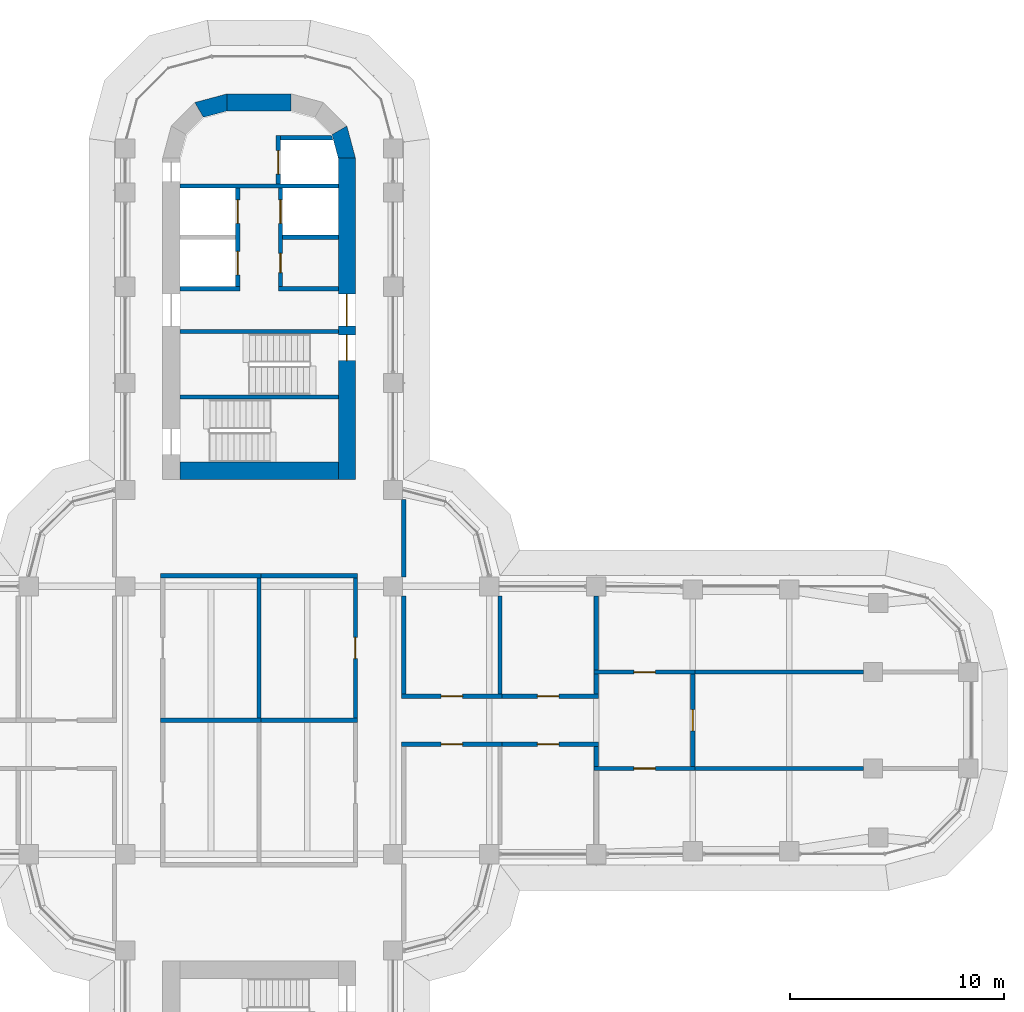
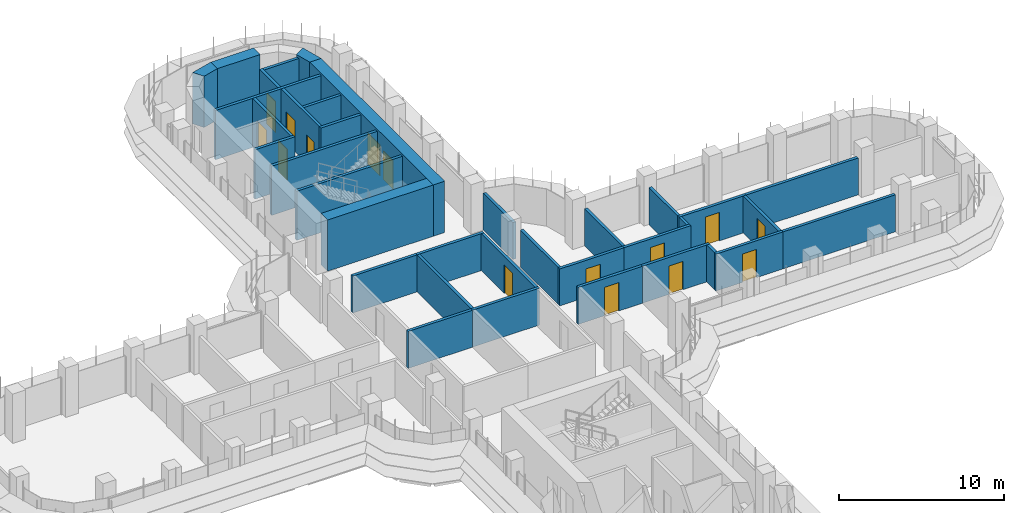
# One storey, part 17 of 22: 36 walls, 15 doors, 15 openings.
"""IFC4 building model written with IfcOpenShell, lengths in metres."""

from ifc_helpers import new_model, si_unit, direction, frame, frame_2d, origin, place, context, subcontext, project, spatial, polyline, rectangle, outline, extrude, material, layer, layer_set, type_object, element, fill, save


model = new_model("IFC4")

# Units and contexts
model_context = context("Model", 3, precision=1e-05, world=origin(), true_north=direction((0.0, 1.0)))
body_context = subcontext(model_context, "Body", "Model", "MODEL_VIEW")
ifc_project = project(units=[si_unit("LENGTHUNIT", "METRE"), si_unit("AREAUNIT", "SQUARE_METRE"), si_unit("VOLUMEUNIT", "CUBIC_METRE"), si_unit("PLANEANGLEUNIT", "RADIAN"), si_unit("MASSUNIT", "GRAM", prefix="KILO")], contexts=[model_context])

# Site, building, storey
site_placement = place(None, origin())
site = spatial("IfcSite", under=ifc_project, at=site_placement, CompositionType="ELEMENT")
building_placement = place(site_placement, origin())
building = spatial("IfcBuilding", under=site, at=building_placement, Name="Zarbagh Exchange Tower", CompositionType="ELEMENT")
storey_placement = place(building_placement, frame((0.0, 0.0, 113.199951171875)))
storey = spatial("IfcBuildingStorey", under=building, at=storey_placement, Name="L26", CompositionType="ELEMENT", Elevation=113.199951171875)

# Wall, opening, door
ifc_material_1 = material(Name="Fire-rated plasterboard partition")
ifc_layer_1 = layer(ifc_material_1, 0.199951171875)
ifc_layer_set_1 = layer_set([ifc_layer_1], Name="RATED PARTITION 200")
wall_type_1 = type_object("IfcWallType", Name="RATED PARTITION 200", PredefinedType="PARTITIONING", material=ifc_layer_set_1)
wall_1_placement = place(storey_placement, frame((4.5, 0.10009765625, 0.0), z_axis=(0.0, 0.0, 1.0), x_axis=(0.0, 1.0, 0.0)))
wall_1 = element("IfcWall", 1, at=wall_1_placement, inside=storey, type_object=wall_type_1, Name="Partition W-907", PredefinedType="PARTITIONING", context=body_context, shape_type="SweptSolid", body=[
    extrude(rectangle(XDim=6.5498046875, YDim=0.199951171875, at=frame_2d((3.27490234375, 0.0))), origin(), (0.0, 0.0, 1.0), 2.738037109375),
])
opening_1_placement = place(wall_1_placement, frame((2.77490234375, 0.0, 0.0)))
opening_1 = element("IfcOpeningElement", 2, at=opening_1_placement, cuts=wall_1, Name="Opening D-901", PredefinedType="OPENING", context=body_context, shape_type="SweptSolid", body=[
    extrude(rectangle(XDim=1.0, YDim=2.10009765625, at=frame_2d((0.5, 1.050048828125))), frame((0.0, 0.10986328125, 0.0), z_axis=(0.0, -1.0, 0.0), x_axis=(1.0, 0.0, 0.0)), (0.0, 0.0, 1.0), 0.219970703125),
])
ifc_material_2 = material(Name="Steel door set", Category="steel")
door_type_1 = type_object("IfcDoorType", Name="FIRE DOOR 1000 X 2100 FD30S", OperationType="NOTDEFINED", PredefinedType="DOOR", material=ifc_material_2)
door_1_placement = place(opening_1_placement, origin())
door_1 = element("IfcDoor", 3, at=door_1_placement, inside=storey, type_object=door_type_1, Name="Door D-901", OperationType="SINGLE_SWING_LEFT", OverallHeight=2.10009765625, OverallWidth=1.0, PredefinedType="DOOR", context=body_context, shape_type="SweptSolid", body=[
    extrude(rectangle(XDim=1.0, YDim=2.10009765625, at=frame_2d((0.5, 1.050048828125))), frame((0.0, 0.02490234375, 0.0), z_axis=(0.0, -1.0, 0.0), x_axis=(1.0, 0.0, 0.0)), (0.0, 0.0, 1.0), 0.050048828125),
])
fill(opening_1, door_1)

# Walls
wall_2_placement = place(storey_placement, frame((6.75, 1.22509765625, 0.0), z_axis=(0.0, 0.0, 1.0), x_axis=(0.0, 1.0, 0.0)))
element("IfcWall", 4, at=wall_2_placement, inside=storey, type_object=wall_type_1, Name="Partition W-909", PredefinedType="PARTITIONING", context=body_context, shape_type="SweptSolid", body=[
    extrude(rectangle(XDim=4.574951171875, YDim=0.199951171875, at=frame_2d((2.28759765625, 0.0))), origin(), (0.0, 0.0, 1.0), 2.738037109375),
])
wall_3_placement = place(storey_placement, frame((6.75, 6.699951171875, 0.0), z_axis=(0.0, 0.0, 1.0), x_axis=(0.0, 1.0, 0.0)))
element("IfcWall", 5, at=wall_3_placement, inside=storey, type_object=wall_type_1, Name="Partition W-910", PredefinedType="PARTITIONING", context=body_context, shape_type="SweptSolid", body=[
    extrude(rectangle(XDim=3.60009765625, YDim=0.199951171875, at=frame_2d((1.800048828125, 0.0))), origin(), (0.0, 0.0, 1.0), 2.738037109375),
])
for number, where, z_axis, x_axis, name in (
    (6, (-4.60009765625, 6.75, 0.0), (0.0, 0.0, 1.0), (1.0, 0.0, 0.0), "Partition W-913"),
    (7, (-0.10009765625, 6.75, 0.0), (0.0, 0.0, 1.0), (1.0, 0.0, 0.0), "Partition W-914"),
):
    element("IfcWall", number, at=place(storey_placement, frame(where, z_axis=z_axis, x_axis=x_axis)), inside=storey, type_object=wall_type_1, Name=name, PredefinedType="PARTITIONING", context=body_context, shape_type="SweptSolid", body=[
        extrude(rectangle(XDim=4.7001953125, YDim=0.199951171875, at=frame_2d((2.35009765625, 0.0))), origin(), (0.0, 0.0, 1.0), 2.738037109375),
    ])
wall_4_placement = place(storey_placement, frame((0.0, 0.10009765625, 0.0), z_axis=(0.0, 0.0, 1.0), x_axis=(0.0, 1.0, 0.0)))
element("IfcWall", 8, at=wall_4_placement, inside=storey, type_object=wall_type_1, Name="Partition W-917", PredefinedType="PARTITIONING", context=body_context, shape_type="SweptSolid", body=[
    extrude(rectangle(XDim=6.5498046875, YDim=0.199951171875, at=frame_2d((3.27490234375, 0.0))), origin(), (0.0, 0.0, 1.0), 2.738037109375),
])
for number, where, z_axis, x_axis, name in (
    (9, (-4.60009765625, 0.0, 0.0), (0.0, 0.0, 1.0), (1.0, 0.0, 0.0), "Partition W-918"),
    (10, (-0.10009765625, 0.0, 0.0), (0.0, 0.0, 1.0), (1.0, 0.0, 0.0), "Partition W-919"),
):
    element("IfcWall", number, at=place(storey_placement, frame(where, z_axis=z_axis, x_axis=x_axis)), inside=storey, type_object=wall_type_1, Name=name, PredefinedType="PARTITIONING", context=body_context, shape_type="SweptSolid", body=[
        extrude(rectangle(XDim=4.7001953125, YDim=0.199951171875, at=frame_2d((2.35009765625, 0.0))), origin(), (0.0, 0.0, 1.0), 2.738037109375),
    ])

# Wall, opening, door
wall_5_placement = place(storey_placement, frame((6.64990234375, 1.125, 0.0), z_axis=(0.0, 0.0, 1.0), x_axis=(1.0, 0.0, 0.0)))
wall_5 = element("IfcWall", 11, at=wall_5_placement, inside=storey, type_object=wall_type_1, Name="Partition W-921", PredefinedType="PARTITIONING", context=body_context, shape_type="SweptSolid", body=[
    extrude(rectangle(XDim=4.7001953125, YDim=0.199951171875, at=frame_2d((2.35009765625, 0.0))), origin(), (0.0, 0.0, 1.0), 2.738037109375),
])
opening_2_placement = place(wall_5_placement, frame((1.85009765625, 0.0, 0.0)))
opening_2 = element("IfcOpeningElement", 12, at=opening_2_placement, cuts=wall_5, Name="Opening D-907", PredefinedType="OPENING", context=body_context, shape_type="SweptSolid", body=[
    extrude(rectangle(XDim=1.0, YDim=2.10009765625, at=frame_2d((0.5, 1.050048828125))), frame((0.0, 0.10986328125, 0.0), z_axis=(0.0, -1.0, 0.0), x_axis=(1.0, 0.0, 0.0)), (0.0, 0.0, 1.0), 0.219970703125),
])
door_2_placement = place(opening_2_placement, origin())
door_2 = element("IfcDoor", 13, at=door_2_placement, inside=storey, type_object=door_type_1, Name="Door D-907", OperationType="SINGLE_SWING_RIGHT", OverallHeight=2.10009765625, OverallWidth=1.0, PredefinedType="DOOR", context=body_context, shape_type="SweptSolid", body=[
    extrude(rectangle(XDim=1.0, YDim=2.10009765625, at=frame_2d((0.5, 1.050048828125))), frame((0.0, 0.02490234375, 0.0), z_axis=(0.0, -1.0, 0.0), x_axis=(1.0, 0.0, 0.0)), (0.0, 0.0, 1.0), 0.050048828125),
])
fill(opening_2, door_2)

wall_6_placement = place(storey_placement, frame((11.35009765625, -1.125, 0.0), z_axis=(0.0, 0.0, 1.0), x_axis=(-1.0, 0.0, 0.0)))
wall_6 = element("IfcWall", 14, at=wall_6_placement, inside=storey, type_object=wall_type_1, Name="Partition W-922", PredefinedType="PARTITIONING", context=body_context, shape_type="SweptSolid", body=[
    extrude(rectangle(XDim=4.7001953125, YDim=0.199951171875, at=frame_2d((2.35009765625, 0.0))), origin(), (0.0, 0.0, 1.0), 2.738037109375),
])
opening_3_placement = place(wall_6_placement, frame((1.85009765625, 0.0, 0.0)))
opening_3 = element("IfcOpeningElement", 15, at=opening_3_placement, cuts=wall_6, Name="Opening D-910", PredefinedType="OPENING", context=body_context, shape_type="SweptSolid", body=[
    extrude(rectangle(XDim=1.0, YDim=2.10009765625, at=frame_2d((0.5, 1.050048828125))), frame((0.0, 0.10986328125, 0.0), z_axis=(0.0, -1.0, 0.0), x_axis=(1.0, 0.0, 0.0)), (0.0, 0.0, 1.0), 0.219970703125),
])
door_3_placement = place(opening_3_placement, origin())
door_3 = element("IfcDoor", 16, at=door_3_placement, inside=storey, type_object=door_type_1, Name="Door D-910", OperationType="SINGLE_SWING_RIGHT", OverallHeight=2.10009765625, OverallWidth=1.0, PredefinedType="DOOR", context=body_context, shape_type="SweptSolid", body=[
    extrude(rectangle(XDim=1.0, YDim=2.10009765625, at=frame_2d((0.5, 1.050048828125))), frame((0.0, 0.02490234375, 0.0), z_axis=(0.0, -1.0, 0.0), x_axis=(1.0, 0.0, 0.0)), (0.0, 0.0, 1.0), 0.050048828125),
])
fill(opening_3, door_3)

wall_7_placement = place(storey_placement, frame((11.14990234375, 1.125, 0.0), z_axis=(0.0, 0.0, 1.0), x_axis=(1.0, 0.0, 0.0)))
wall_7 = element("IfcWall", 17, at=wall_7_placement, inside=storey, type_object=wall_type_1, Name="Partition W-923", PredefinedType="PARTITIONING", context=body_context, shape_type="SweptSolid", body=[
    extrude(rectangle(XDim=4.7001953125, YDim=0.199951171875, at=frame_2d((2.35009765625, 0.0))), origin(), (0.0, 0.0, 1.0), 2.738037109375),
])
opening_4_placement = place(wall_7_placement, frame((1.85009765625, 0.0, 0.0)))
opening_4 = element("IfcOpeningElement", 18, at=opening_4_placement, cuts=wall_7, Name="Opening D-908", PredefinedType="OPENING", context=body_context, shape_type="SweptSolid", body=[
    extrude(rectangle(XDim=1.0, YDim=2.10009765625, at=frame_2d((0.5, 1.050048828125))), frame((0.0, 0.10986328125, 0.0), z_axis=(0.0, -1.0, 0.0), x_axis=(1.0, 0.0, 0.0)), (0.0, 0.0, 1.0), 0.219970703125),
])
door_4_placement = place(opening_4_placement, origin())
door_4 = element("IfcDoor", 19, at=door_4_placement, inside=storey, type_object=door_type_1, Name="Door D-908", OperationType="SINGLE_SWING_RIGHT", OverallHeight=2.10009765625, OverallWidth=1.0, PredefinedType="DOOR", context=body_context, shape_type="SweptSolid", body=[
    extrude(rectangle(XDim=1.0, YDim=2.10009765625, at=frame_2d((0.5, 1.050048828125))), frame((0.0, 0.02490234375, 0.0), z_axis=(0.0, -1.0, 0.0), x_axis=(1.0, 0.0, 0.0)), (0.0, 0.0, 1.0), 0.050048828125),
])
fill(opening_4, door_4)

wall_8_placement = place(storey_placement, frame((15.85009765625, -1.125, 0.0), z_axis=(0.0, 0.0, 1.0), x_axis=(-1.0, 0.0, 0.0)))
wall_8 = element("IfcWall", 20, at=wall_8_placement, inside=storey, type_object=wall_type_1, Name="Partition W-924", PredefinedType="PARTITIONING", context=body_context, shape_type="SweptSolid", body=[
    extrude(rectangle(XDim=4.7001953125, YDim=0.199951171875, at=frame_2d((2.35009765625, 0.0))), origin(), (0.0, 0.0, 1.0), 2.738037109375),
])
opening_5_placement = place(wall_8_placement, frame((1.85009765625, 0.0, 0.0)))
opening_5 = element("IfcOpeningElement", 21, at=opening_5_placement, cuts=wall_8, Name="Opening D-911", PredefinedType="OPENING", context=body_context, shape_type="SweptSolid", body=[
    extrude(rectangle(XDim=1.0, YDim=2.10009765625, at=frame_2d((0.5, 1.050048828125))), frame((0.0, 0.10986328125, 0.0), z_axis=(0.0, -1.0, 0.0), x_axis=(1.0, 0.0, 0.0)), (0.0, 0.0, 1.0), 0.219970703125),
])
door_5_placement = place(opening_5_placement, origin())
door_5 = element("IfcDoor", 22, at=door_5_placement, inside=storey, type_object=door_type_1, Name="Door D-911", OperationType="SINGLE_SWING_RIGHT", OverallHeight=2.10009765625, OverallWidth=1.0, PredefinedType="DOOR", context=body_context, shape_type="SweptSolid", body=[
    extrude(rectangle(XDim=1.0, YDim=2.10009765625, at=frame_2d((0.5, 1.050048828125))), frame((0.0, 0.02490234375, 0.0), z_axis=(0.0, -1.0, 0.0), x_axis=(1.0, 0.0, 0.0)), (0.0, 0.0, 1.0), 0.050048828125),
])
fill(opening_5, door_5)

# Walls
wall_9_placement = place(storey_placement, frame((11.25, 1.22509765625, 0.0), z_axis=(0.0, 0.0, 1.0), x_axis=(0.0, 1.0, 0.0)))
element("IfcWall", 23, at=wall_9_placement, inside=storey, type_object=wall_type_1, Name="Partition W-925", PredefinedType="PARTITIONING", context=body_context, shape_type="SweptSolid", body=[
    extrude(rectangle(XDim=4.574951171875, YDim=0.199951171875, at=frame_2d((2.28759765625, 0.0))), origin(), (0.0, 0.0, 1.0), 2.738037109375),
])
wall_10_placement = place(storey_placement, frame((15.75, 1.22509765625, 0.0), z_axis=(0.0, 0.0, 1.0), x_axis=(0.0, 1.0, 0.0)))
element("IfcWall", 24, at=wall_10_placement, inside=storey, type_object=wall_type_1, Name="Partition W-927", PredefinedType="PARTITIONING", context=body_context, shape_type="SweptSolid", body=[
    extrude(rectangle(XDim=0.9248046875, YDim=0.199951171875, at=frame_2d((0.46240234375, 0.0))), origin(), (0.0, 0.0, 1.0), 2.738037109375),
])
wall_11_placement = place(storey_placement, frame((15.75, 2.35009765625, 0.0), z_axis=(0.0, 0.0, 1.0), x_axis=(0.0, 1.0, 0.0)))
element("IfcWall", 25, at=wall_11_placement, inside=storey, type_object=wall_type_1, Name="Partition W-928", PredefinedType="PARTITIONING", context=body_context, shape_type="SweptSolid", body=[
    extrude(rectangle(XDim=3.449951171875, YDim=0.199951171875, at=frame_2d((1.72509765625, 0.0))), origin(), (0.0, 0.0, 1.0), 2.738037109375),
])
wall_12_placement = place(storey_placement, frame((15.75, -2.14990234375, 0.0), z_axis=(0.0, 0.0, 1.0), x_axis=(0.0, 1.0, 0.0)))
element("IfcWall", 26, at=wall_12_placement, inside=storey, type_object=wall_type_1, Name="Partition W-929", PredefinedType="PARTITIONING", context=body_context, shape_type="SweptSolid", body=[
    extrude(rectangle(XDim=0.9248046875, YDim=0.199951171875, at=frame_2d((0.46240234375, 0.0))), origin(), (0.0, 0.0, 1.0), 2.738037109375),
])

# Wall, opening, door
wall_13_placement = place(storey_placement, frame((15.64990234375, 2.25, 0.0), z_axis=(0.0, 0.0, 1.0), x_axis=(1.0, 0.0, 0.0)))
wall_13 = element("IfcWall", 27, at=wall_13_placement, inside=storey, type_object=wall_type_1, Name="Partition W-931", PredefinedType="PARTITIONING", context=body_context, shape_type="SweptSolid", body=[
    extrude(rectangle(XDim=4.7001953125, YDim=0.199951171875, at=frame_2d((2.35009765625, 0.0))), origin(), (0.0, 0.0, 1.0), 2.738037109375),
])
opening_6_placement = place(wall_13_placement, frame((1.85009765625, 0.0, 0.0)))
opening_6 = element("IfcOpeningElement", 28, at=opening_6_placement, cuts=wall_13, Name="Opening D-906", PredefinedType="OPENING", context=body_context, shape_type="SweptSolid", body=[
    extrude(rectangle(XDim=1.0, YDim=2.10009765625, at=frame_2d((0.5, 1.050048828125))), frame((0.0, 0.10986328125, 0.0), z_axis=(0.0, -1.0, 0.0), x_axis=(1.0, 0.0, 0.0)), (0.0, 0.0, 1.0), 0.219970703125),
])
door_6_placement = place(opening_6_placement, origin())
door_6 = element("IfcDoor", 29, at=door_6_placement, inside=storey, type_object=door_type_1, Name="Door D-906", OperationType="SINGLE_SWING_LEFT", OverallHeight=2.10009765625, OverallWidth=1.0, PredefinedType="DOOR", context=body_context, shape_type="SweptSolid", body=[
    extrude(rectangle(XDim=1.0, YDim=2.10009765625, at=frame_2d((0.5, 1.050048828125))), frame((0.0, 0.02490234375, 0.0), z_axis=(0.0, -1.0, 0.0), x_axis=(1.0, 0.0, 0.0)), (0.0, 0.0, 1.0), 0.050048828125),
])
fill(opening_6, door_6)

wall_14_placement = place(storey_placement, frame((20.35009765625, -2.25, 0.0), z_axis=(0.0, 0.0, 1.0), x_axis=(-1.0, 0.0, 0.0)))
wall_14 = element("IfcWall", 30, at=wall_14_placement, inside=storey, type_object=wall_type_1, Name="Partition W-932", PredefinedType="PARTITIONING", context=body_context, shape_type="SweptSolid", body=[
    extrude(rectangle(XDim=4.7001953125, YDim=0.199951171875, at=frame_2d((2.35009765625, 0.0))), origin(), (0.0, 0.0, 1.0), 2.738037109375),
])
opening_7_placement = place(wall_14_placement, frame((1.85009765625, 0.0, 0.0)))
opening_7 = element("IfcOpeningElement", 31, at=opening_7_placement, cuts=wall_14, Name="Opening D-909", PredefinedType="OPENING", context=body_context, shape_type="SweptSolid", body=[
    extrude(rectangle(XDim=1.0, YDim=2.10009765625, at=frame_2d((0.5, 1.050048828125))), frame((0.0, 0.10986328125, 0.0), z_axis=(0.0, -1.0, 0.0), x_axis=(1.0, 0.0, 0.0)), (0.0, 0.0, 1.0), 0.219970703125),
])
door_7_placement = place(opening_7_placement, origin())
door_7 = element("IfcDoor", 32, at=door_7_placement, inside=storey, type_object=door_type_1, Name="Door D-909", OperationType="SINGLE_SWING_RIGHT", OverallHeight=2.10009765625, OverallWidth=1.0, PredefinedType="DOOR", context=body_context, shape_type="SweptSolid", body=[
    extrude(rectangle(XDim=1.0, YDim=2.10009765625, at=frame_2d((0.5, 1.050048828125))), frame((0.0, 0.02490234375, 0.0), z_axis=(0.0, -1.0, 0.0), x_axis=(1.0, 0.0, 0.0)), (0.0, 0.0, 1.0), 0.050048828125),
])
fill(opening_7, door_7)

wall_15_placement = place(storey_placement, frame((20.25, 2.14990234375, 0.0), z_axis=(0.0, 0.0, 1.0), x_axis=(0.0, -1.0, 0.0)))
wall_15 = element("IfcWall", 33, at=wall_15_placement, inside=storey, type_object=wall_type_1, Name="Partition W-933", PredefinedType="PARTITIONING", context=body_context, shape_type="SweptSolid", body=[
    extrude(rectangle(XDim=4.2998046875, YDim=0.199951171875, at=frame_2d((2.14990234375, 0.0))), origin(), (0.0, 0.0, 1.0), 2.738037109375),
])
opening_8_placement = place(wall_15_placement, frame((1.64990234375, 0.0, 0.0)))
opening_8 = element("IfcOpeningElement", 34, at=opening_8_placement, cuts=wall_15, Name="Opening D-905", PredefinedType="OPENING", context=body_context, shape_type="SweptSolid", body=[
    extrude(rectangle(XDim=1.0, YDim=2.10009765625, at=frame_2d((0.5, 1.050048828125))), frame((0.0, 0.10986328125, 0.0), z_axis=(0.0, -1.0, 0.0), x_axis=(1.0, 0.0, 0.0)), (0.0, 0.0, 1.0), 0.219970703125),
])
door_8_placement = place(opening_8_placement, origin())
door_8 = element("IfcDoor", 35, at=door_8_placement, inside=storey, type_object=door_type_1, Name="Door D-905", OperationType="SINGLE_SWING_RIGHT", OverallHeight=2.10009765625, OverallWidth=1.0, PredefinedType="DOOR", context=body_context, shape_type="SweptSolid", body=[
    extrude(rectangle(XDim=1.0, YDim=2.10009765625, at=frame_2d((0.5, 1.050048828125))), frame((0.0, 0.02490234375, 0.0), z_axis=(0.0, -1.0, 0.0), x_axis=(1.0, 0.0, 0.0)), (0.0, 0.0, 1.0), 0.050048828125),
])
fill(opening_8, door_8)

# Walls
for number, where, z_axis, x_axis, name in (
    (36, (20.14990234375, 2.25, 0.0), (0.0, 0.0, 1.0), (1.0, 0.0, 0.0), "Partition W-934"),
    (37, (20.14990234375, -2.25, 0.0), (0.0, 0.0, 1.0), (1.0, 0.0, 0.0), "Partition W-936"),
):
    element("IfcWall", number, at=place(storey_placement, frame(where, z_axis=z_axis, x_axis=x_axis)), inside=storey, type_object=wall_type_1, Name=name, PredefinedType="PARTITIONING", context=body_context, shape_type="SweptSolid", body=[
        extrude(rectangle(XDim=8.070068359375, YDim=0.199951171875, at=frame_2d((4.03515625, 0.0))), origin(), (0.0, 0.0, 1.0), 2.738037109375),
    ])
ifc_material_3 = material(Name="Concrete C60/75", Category="concrete")
ifc_layer_2 = layer(ifc_material_3, 0.800048828125)
ifc_layer_set_2 = layer_set([ifc_layer_2], Name="RC core corner wall 800 C60/75")
wall_type_2 = type_object("IfcWallType", Name="RC core corner wall 800 C60/75", PredefinedType="SHEAR", material=ifc_layer_set_2)
wall_16_placement = place(storey_placement, origin())
element("IfcWall", 38, at=wall_16_placement, inside=storey, type_object=wall_type_2, Name="CW4 core N corner W", PredefinedType="SHEAR", context=body_context, shape_type="SweptSolid", body=[
    extrude(outline(polyline([(-3.0, 28.84814453125), (-1.5, 29.25), (-1.5, 28.449951171875), (-2.60009765625, 28.1552734375), (-3.0, 28.84814453125)])), origin(), (0.0, 0.0, 1.0), 3.800048828125),
])
wall_17_placement = place(storey_placement, origin())
element("IfcWall", 39, at=wall_17_placement, inside=storey, type_object=wall_type_2, Name="CW4 core N corner E", PredefinedType="SHEAR", context=body_context, shape_type="SweptSolid", body=[
    extrude(outline(polyline([(4.5, 26.25), (4.09814453125, 27.75), (3.4052734375, 27.35009765625), (3.699951171875, 26.25), (4.5, 26.25)])), origin(), (0.0, 0.0, 1.0), 3.800048828125),
])

# Wall, openings, doors
ifc_layer_3 = layer(ifc_material_3, 0.800048828125)
ifc_layer_set_3 = layer_set([ifc_layer_3], Name="RC core wall 800 C60/75")
wall_type_3 = type_object("IfcWallType", Name="RC core wall 800 C60/75", PredefinedType="SHEAR", material=ifc_layer_set_3)
wall_18_placement = place(storey_placement, frame((4.10009765625, 11.25, 0.0), z_axis=(0.0, 0.0, 1.0), x_axis=(0.0, 1.0, 0.0)))
wall_18 = element("IfcWall", 40, at=wall_18_placement, inside=storey, type_object=wall_type_3, Name="CW3 core N E", PredefinedType="SHEAR", context=body_context, shape_type="SweptSolid", body=[
    extrude(rectangle(XDim=15.0, YDim=0.800048828125, at=frame_2d((7.5, 0.0))), origin(), (0.0, 0.0, 1.0), 3.800048828125),
])
opening_9_placement = place(wall_18_placement, frame((7.14990234375, 0.0, 0.0)))
opening_9 = element("IfcOpeningElement", 41, at=opening_9_placement, cuts=wall_18, Name="Opening CD1-1500", PredefinedType="OPENING", context=body_context, shape_type="SweptSolid", body=[
    extrude(rectangle(XDim=1.5, YDim=2.300048828125, at=frame_2d((0.75, 1.14990234375))), frame((0.0, 0.409912109375, 0.0), z_axis=(0.0, -1.0, 0.0), x_axis=(1.0, 0.0, 0.0)), (0.0, 0.0, 1.0), 0.820068359375),
])
opening_10_placement = place(wall_18_placement, frame((5.550048828125, 0.0, 0.0)))
opening_10 = element("IfcOpeningElement", 42, at=opening_10_placement, cuts=wall_18, Name="Opening SD1-1200", PredefinedType="OPENING", context=body_context, shape_type="SweptSolid", body=[
    extrude(rectangle(XDim=1.199951171875, YDim=2.10009765625, at=frame_2d((0.60009765625, 1.050048828125))), frame((0.0, 0.409912109375, 0.0), z_axis=(0.0, -1.0, 0.0), x_axis=(1.0, 0.0, 0.0)), (0.0, 0.0, 1.0), 0.820068359375),
])
ifc_material_4 = material(Name="Steel", Category="steel")
door_type_2 = type_object("IfcDoorType", Name="Exit stair door 1200 x 2100", OperationType="NOTDEFINED", PredefinedType="DOOR", material=ifc_material_4)
door_9_placement = place(opening_10_placement, origin())
door_9 = element("IfcDoor", 43, at=door_9_placement, inside=storey, type_object=door_type_2, Name="North core stair door ST1", OperationType="SINGLE_SWING_LEFT", OverallHeight=2.10009765625, OverallWidth=1.199951171875, PredefinedType="DOOR", context=body_context, shape_type="SweptSolid", body=[
    extrude(rectangle(XDim=1.199951171875, YDim=2.10009765625, at=frame_2d((0.60009765625, 1.050048828125))), frame((0.0, 0.02490234375, 0.0), z_axis=(0.0, -1.0, 0.0), x_axis=(1.0, 0.0, 0.0)), (0.0, 0.0, 1.0), 0.050048828125),
])
fill(opening_10, door_9)
door_type_3 = type_object("IfcDoorType", Name="Lift lobby double door 1500 x 2300", OperationType="NOTDEFINED", PredefinedType="DOOR", material=ifc_material_4)
door_10_placement = place(opening_9_placement, origin())
door_10 = element("IfcDoor", 44, at=door_10_placement, inside=storey, type_object=door_type_3, Name="North core lift lobby door LOBBY-E", OperationType="DOUBLE_DOOR_SINGLE_SWING", OverallHeight=2.300048828125, OverallWidth=1.5, PredefinedType="DOOR", context=body_context, shape_type="SweptSolid", body=[
    extrude(rectangle(XDim=1.5, YDim=2.300048828125, at=frame_2d((0.75, 1.14990234375))), frame((0.0, 0.02490234375, 0.0), z_axis=(0.0, -1.0, 0.0), x_axis=(1.0, 0.0, 0.0)), (0.0, 0.0, 1.0), 0.050048828125),
])
fill(opening_9, door_10)

# Walls
wall_19_placement = place(storey_placement, frame((-3.699951171875, 11.64990234375, 0.0), z_axis=(0.0, 0.0, 1.0), x_axis=(1.0, 0.0, 0.0)))
element("IfcWall", 45, at=wall_19_placement, inside=storey, type_object=wall_type_3, Name="CW3 core N inner end", PredefinedType="SHEAR", context=body_context, shape_type="SweptSolid", body=[
    extrude(rectangle(XDim=7.39990234375, YDim=0.800048828125, at=frame_2d((3.699951171875, 0.0))), origin(), (0.0, 0.0, 1.0), 3.800048828125),
])
wall_20_placement = place(storey_placement, frame((-1.5, 28.85009765625, 0.0), z_axis=(0.0, 0.0, 1.0), x_axis=(1.0, 0.0, 0.0)))
element("IfcWall", 46, at=wall_20_placement, inside=storey, type_object=wall_type_3, Name="CW3 core N outer end", PredefinedType="SHEAR", context=body_context, shape_type="SweptSolid", body=[
    extrude(rectangle(XDim=3.0, YDim=0.800048828125, at=frame_2d((1.5, 0.0))), origin(), (0.0, 0.0, 1.0), 3.800048828125),
])
ifc_material_5 = material(Name="Dense blockwork", Category="masonry")
ifc_layer_4 = layer(ifc_material_5, 0.199951171875)
ifc_layer_set_4 = layer_set([ifc_layer_4], Name="Shaft wall 200 mm blockwork")
wall_type_4 = type_object("IfcWallType", Name="Shaft wall 200 mm blockwork", PredefinedType="PARTITIONING", material=ifc_layer_set_4)
wall_21_placement = place(storey_placement, frame((-3.699951171875, 20.14990234375, 0.0), z_axis=(0.0, 0.0, 1.0), x_axis=(1.0, 0.0, 0.0)))
element("IfcWall", 47, at=wall_21_placement, inside=storey, type_object=wall_type_4, Name="North core shaft wall AB-W", PredefinedType="PARTITIONING", context=body_context, shape_type="SweptSolid", body=[
    extrude(rectangle(XDim=2.800048828125, YDim=0.199951171875, at=frame_2d((1.39990234375, 0.0))), origin(), (0.0, 0.0, 1.0), 3.650146484375),
])

# Wall, openings, doors
wall_22_placement = place(storey_placement, frame((-1.0, 24.85009765625, 0.0), z_axis=(0.0, 0.0, 1.0), x_axis=(0.0, -1.0, 0.0)))
wall_22 = element("IfcWall", 48, at=wall_22_placement, inside=storey, type_object=wall_type_4, Name="North core shaft wall LW-W", PredefinedType="PARTITIONING", context=body_context, shape_type="SweptSolid", body=[
    extrude(rectangle(XDim=4.60009765625, YDim=0.199951171875, at=frame_2d((2.300048828125, 0.0))), origin(), (0.0, 0.0, 1.0), 3.650146484375),
])
opening_11_placement = place(wall_22_placement, frame((0.550048828125, 0.0, 0.0)))
opening_11 = element("IfcOpeningElement", 49, at=opening_11_placement, cuts=wall_22, Name="Opening LD-1100", PredefinedType="OPENING", context=body_context, shape_type="SweptSolid", body=[
    extrude(rectangle(XDim=1.10009765625, YDim=2.300048828125, at=frame_2d((0.550048828125, 1.14990234375))), frame((0.0, 0.10986328125, 0.0), z_axis=(0.0, -1.0, 0.0), x_axis=(1.0, 0.0, 0.0)), (0.0, 0.0, 1.0), 0.219970703125),
])
opening_12_placement = place(wall_22_placement, frame((2.949951171875, 0.0, 0.0)))
opening_12 = element("IfcOpeningElement", 50, at=opening_12_placement, cuts=wall_22, Name="Opening LD-1100", PredefinedType="OPENING", context=body_context, shape_type="SweptSolid", body=[
    extrude(rectangle(XDim=1.10009765625, YDim=2.300048828125, at=frame_2d((0.550048828125, 1.14990234375))), frame((0.0, 0.10986328125, 0.0), z_axis=(0.0, -1.0, 0.0), x_axis=(1.0, 0.0, 0.0)), (0.0, 0.0, 1.0), 0.219970703125),
])
ifc_material_6 = material(Name="Stainless steel", Category="steel")
door_type_4 = type_object("IfcDoorType", Name="Lift landing door 1100 x 2300", OperationType="NOTDEFINED", PredefinedType="DOOR", material=ifc_material_6)
door_11_placement = place(opening_11_placement, origin())
door_11 = element("IfcDoor", 51, at=door_11_placement, inside=storey, type_object=door_type_4, Name="North core lift landing door LD-P-N1", OperationType="DOUBLE_DOOR_SLIDING", OverallHeight=2.300048828125, OverallWidth=1.10009765625, PredefinedType="DOOR", context=body_context, shape_type="SweptSolid", body=[
    extrude(rectangle(XDim=1.10009765625, YDim=2.300048828125, at=frame_2d((0.550048828125, 1.14990234375))), frame((0.0, 0.02490234375, 0.0), z_axis=(0.0, -1.0, 0.0), x_axis=(1.0, 0.0, 0.0)), (0.0, 0.0, 1.0), 0.050048828125),
])
fill(opening_11, door_11)
door_12_placement = place(opening_12_placement, origin())
door_12 = element("IfcDoor", 52, at=door_12_placement, inside=storey, type_object=door_type_4, Name="North core lift landing door LD-P-N2", OperationType="DOUBLE_DOOR_SLIDING", OverallHeight=2.300048828125, OverallWidth=1.10009765625, PredefinedType="DOOR", context=body_context, shape_type="SweptSolid", body=[
    extrude(rectangle(XDim=1.10009765625, YDim=2.300048828125, at=frame_2d((0.550048828125, 1.14990234375))), frame((0.0, 0.02490234375, 0.0), z_axis=(0.0, -1.0, 0.0), x_axis=(1.0, 0.0, 0.0)), (0.0, 0.0, 1.0), 0.050048828125),
])
fill(opening_12, door_12)

# Wall
wall_23_placement = place(storey_placement, frame((0.89990234375, 20.14990234375, 0.0), z_axis=(0.0, 0.0, 1.0), x_axis=(1.0, 0.0, 0.0)))
element("IfcWall", 53, at=wall_23_placement, inside=storey, type_object=wall_type_4, Name="North core shaft wall AB-E", PredefinedType="PARTITIONING", context=body_context, shape_type="SweptSolid", body=[
    extrude(rectangle(XDim=2.800048828125, YDim=0.199951171875, at=frame_2d((1.39990234375, 0.0))), origin(), (0.0, 0.0, 1.0), 3.650146484375),
])

# Wall, openings, doors
wall_24_placement = place(storey_placement, frame((1.0, 24.85009765625, 0.0), z_axis=(0.0, 0.0, 1.0), x_axis=(0.0, -1.0, 0.0)))
wall_24 = element("IfcWall", 54, at=wall_24_placement, inside=storey, type_object=wall_type_4, Name="North core shaft wall LW-E", PredefinedType="PARTITIONING", context=body_context, shape_type="SweptSolid", body=[
    extrude(rectangle(XDim=4.60009765625, YDim=0.199951171875, at=frame_2d((2.300048828125, 0.0))), origin(), (0.0, 0.0, 1.0), 3.650146484375),
])
opening_13_placement = place(wall_24_placement, frame((0.550048828125, 0.0, 0.0)))
opening_13 = element("IfcOpeningElement", 55, at=opening_13_placement, cuts=wall_24, Name="Opening LD-1100", PredefinedType="OPENING", context=body_context, shape_type="SweptSolid", body=[
    extrude(rectangle(XDim=1.10009765625, YDim=2.300048828125, at=frame_2d((0.550048828125, 1.14990234375))), frame((0.0, 0.10986328125, 0.0), z_axis=(0.0, -1.0, 0.0), x_axis=(1.0, 0.0, 0.0)), (0.0, 0.0, 1.0), 0.219970703125),
])
opening_14_placement = place(wall_24_placement, frame((3.050048828125, 0.0, 0.0)))
opening_14 = element("IfcOpeningElement", 56, at=opening_14_placement, cuts=wall_24, Name="Opening CD3-900", PredefinedType="OPENING", context=body_context, shape_type="SweptSolid", body=[
    extrude(rectangle(XDim=0.89990234375, YDim=2.10009765625, at=frame_2d((0.449951171875, 1.050048828125))), frame((0.0, 0.10986328125, 0.0), z_axis=(0.0, -1.0, 0.0), x_axis=(1.0, 0.0, 0.0)), (0.0, 0.0, 1.0), 0.219970703125),
])
door_type_5 = type_object("IfcDoorType", Name="Core room door 900 x 2100", OperationType="NOTDEFINED", PredefinedType="DOOR", material=ifc_material_4)
door_13_placement = place(opening_14_placement, origin())
door_13 = element("IfcDoor", 57, at=door_13_placement, inside=storey, type_object=door_type_5, Name="North core Accessible WC door RD-E-0", OperationType="SINGLE_SWING_LEFT", OverallHeight=2.10009765625, OverallWidth=0.89990234375, PredefinedType="DOOR", context=body_context, shape_type="SweptSolid", body=[
    extrude(rectangle(XDim=0.89990234375, YDim=2.10009765625, at=frame_2d((0.449951171875, 1.050048828125))), frame((0.0, 0.02490234375, 0.0), z_axis=(0.0, -1.0, 0.0), x_axis=(1.0, 0.0, 0.0)), (0.0, 0.0, 1.0), 0.050048828125),
])
fill(opening_14, door_13)
door_14_placement = place(opening_13_placement, origin())
door_14 = element("IfcDoor", 58, at=door_14_placement, inside=storey, type_object=door_type_4, Name="North core lift landing door LD-P-N3", OperationType="DOUBLE_DOOR_SLIDING", OverallHeight=2.300048828125, OverallWidth=1.10009765625, PredefinedType="DOOR", context=body_context, shape_type="SweptSolid", body=[
    extrude(rectangle(XDim=1.10009765625, YDim=2.300048828125, at=frame_2d((0.550048828125, 1.14990234375))), frame((0.0, 0.02490234375, 0.0), z_axis=(0.0, -1.0, 0.0), x_axis=(1.0, 0.0, 0.0)), (0.0, 0.0, 1.0), 0.050048828125),
])
fill(opening_13, door_14)

# Walls
wall_25_placement = place(storey_placement, frame((1.10009765625, 22.550048828125, 0.0), z_axis=(0.0, 0.0, 1.0), x_axis=(1.0, 0.0, 0.0)))
element("IfcWall", 59, at=wall_25_placement, inside=storey, type_object=wall_type_4, Name="North core shaft wall TR-E", PredefinedType="PARTITIONING", context=body_context, shape_type="SweptSolid", body=[
    extrude(rectangle(XDim=2.599853515625, YDim=0.199951171875, at=frame_2d((1.2998046875, 0.0))), origin(), (0.0, 0.0, 1.0), 3.650146484375),
])
ifc_material_7 = material(Name="Concrete C40/50", Category="concrete")
ifc_layer_5 = layer(ifc_material_7, 0.199951171875)
ifc_layer_set_5 = layer_set([ifc_layer_5], Name="Stair enclosure wall 200 mm RC C40/50")
wall_type_5 = type_object("IfcWallType", Name="Stair enclosure wall 200 mm RC C40/50", PredefinedType="SHEAR", material=ifc_layer_set_5)
wall_26_placement = place(storey_placement, frame((-3.699951171875, 24.949951171875, 0.0), z_axis=(0.0, 0.0, 1.0), x_axis=(1.0, 0.0, 0.0)))
element("IfcWall", 60, at=wall_26_placement, inside=storey, type_object=wall_type_5, Name="North core lift shaft wall FFA", PredefinedType="SHEAR", context=body_context, shape_type="SweptSolid", body=[
    extrude(rectangle(XDim=7.39990234375, YDim=0.199951171875, at=frame_2d((3.699951171875, 0.0))), origin(), (0.0, 0.0, 1.0), 3.650146484375),
])

# Wall, opening, door
wall_27_placement = place(storey_placement, frame((0.89990234375, 27.300048828125, 0.0), z_axis=(0.0, 0.0, 1.0), x_axis=(0.0, -1.0, 0.0)))
wall_27 = element("IfcWall", 61, at=wall_27_placement, inside=storey, type_object=wall_type_5, Name="North core lift shaft wall FFL", PredefinedType="SHEAR", context=body_context, shape_type="SweptSolid", body=[
    extrude(rectangle(XDim=2.25, YDim=0.199951171875, at=frame_2d((1.125, 0.0))), origin(), (0.0, 0.0, 1.0), 3.650146484375),
])
opening_15_placement = place(wall_27_placement, frame((0.699951171875, 0.0, 0.0)))
opening_15 = element("IfcOpeningElement", 62, at=opening_15_placement, cuts=wall_27, Name="Opening LD-1100", PredefinedType="OPENING", context=body_context, shape_type="SweptSolid", body=[
    extrude(rectangle(XDim=1.10009765625, YDim=2.300048828125, at=frame_2d((0.550048828125, 1.14990234375))), frame((0.0, 0.10986328125, 0.0), z_axis=(0.0, -1.0, 0.0), x_axis=(1.0, 0.0, 0.0)), (0.0, 0.0, 1.0), 0.219970703125),
])
door_15_placement = place(opening_15_placement, origin())
door_15 = element("IfcDoor", 63, at=door_15_placement, inside=storey, type_object=door_type_4, Name="North core lift landing door LD-F", OperationType="DOUBLE_DOOR_SLIDING", OverallHeight=2.300048828125, OverallWidth=1.10009765625, PredefinedType="DOOR", context=body_context, shape_type="SweptSolid", body=[
    extrude(rectangle(XDim=1.10009765625, YDim=2.300048828125, at=frame_2d((0.550048828125, 1.14990234375))), frame((0.0, 0.02490234375, 0.0), z_axis=(0.0, -1.0, 0.0), x_axis=(1.0, 0.0, 0.0)), (0.0, 0.0, 1.0), 0.050048828125),
])
fill(opening_15, door_15)

# Walls
wall_28_placement = place(storey_placement, origin())
element("IfcWall", 64, at=wall_28_placement, inside=storey, type_object=wall_type_5, Name="North core lift shaft wall FFX", PredefinedType="SHEAR", context=body_context, shape_type="SweptSolid", body=[
    extrude(outline(polyline([(1.0, 27.10009765625), (3.444091796875, 27.10009765625), (3.390380859375, 27.300048828125), (1.0, 27.300048828125), (1.0, 27.10009765625)])), origin(), (0.0, 0.0, 1.0), 3.650146484375),
])
for number, where, z_axis, x_axis, name in (
    (65, (-3.699951171875, 18.14990234375, 0.0), (0.0, 0.0, 1.0), (1.0, 0.0, 0.0), "North core stair wall BS"),
    (66, (-3.699951171875, 15.10009765625, 0.0), (0.0, 0.0, 1.0), (1.0, 0.0, 0.0), "North core stair wall ST12"),
):
    element("IfcWall", number, at=place(storey_placement, frame(where, z_axis=z_axis, x_axis=x_axis)), inside=storey, type_object=wall_type_5, Name=name, PredefinedType="SHEAR", context=body_context, shape_type="SweptSolid", body=[
        extrude(rectangle(XDim=7.39990234375, YDim=0.199951171875, at=frame_2d((3.699951171875, 0.0))), origin(), (0.0, 0.0, 1.0), 3.650146484375),
    ])

save(model, "model.ifc")
